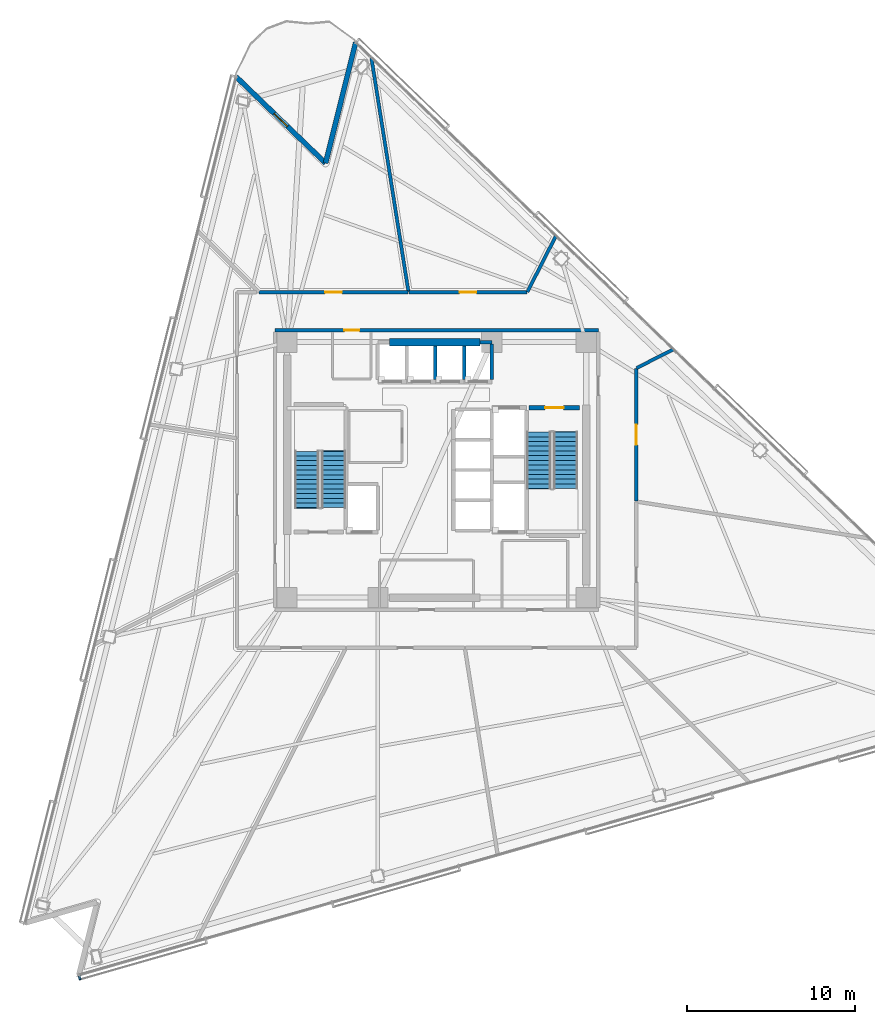
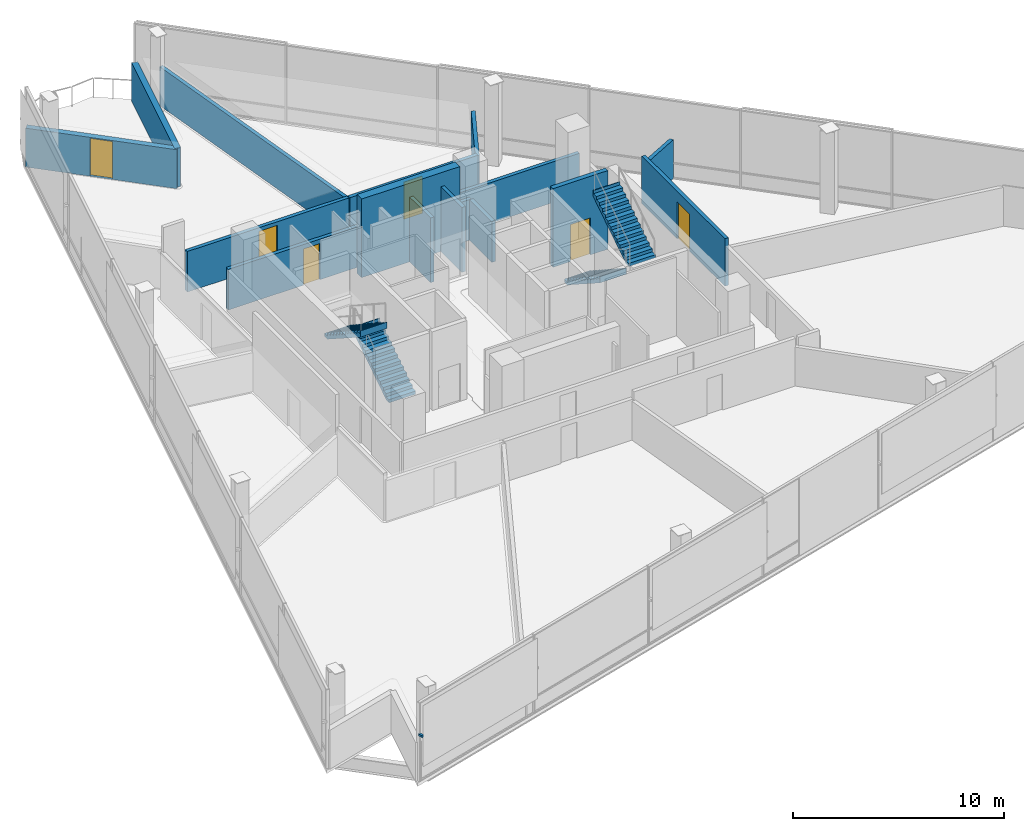
# One storey, part 11 of 18: 15 walls, 6 doors, 4 stair flights, 1 discrete accessory, 6 openings, 2 elements without a shape of their own.
"""IFC4 building model written with IfcOpenShell, lengths in metres."""

from ifc_helpers import new_model, si_unit, direction, frame, frame_2d, origin, origin_2d, place, context, subcontext, project, spatial, polyline, rectangle, outline, extrude, material, layer, layer_set, type_object, element, fill, aggregate, save


model = new_model("IFC4")

# Units and contexts
model_context = context("Model", 3, precision=1e-05, world=origin(), true_north=direction((0.0, 1.0)))
body_context = subcontext(model_context, "Body", "Model", "MODEL_VIEW")
ifc_project = project(units=[si_unit("LENGTHUNIT", "METRE"), si_unit("AREAUNIT", "SQUARE_METRE"), si_unit("VOLUMEUNIT", "CUBIC_METRE"), si_unit("PLANEANGLEUNIT", "RADIAN"), si_unit("MASSUNIT", "GRAM", prefix="KILO")], contexts=[model_context])

# Site, building, storey
site_placement = place(None, origin())
site = spatial("IfcSite", under=ifc_project, at=site_placement, CompositionType="ELEMENT")
building_placement = place(site_placement, origin())
building = spatial("IfcBuilding", under=site, at=building_placement, Name="Tharavind Bronze Gate", CompositionType="ELEMENT")
storey_placement = place(building_placement, frame((0.0, 0.0, 107.699951171875)))
storey = spatial("IfcBuildingStorey", under=building, at=storey_placement, Name="L27", CompositionType="ELEMENT", Elevation=107.699951171875)

# Wall
ifc_material_1 = material(Name="Concrete C40/50", Category="concrete")
ifc_layer_1 = layer(ifc_material_1, 0.300048828125)
ifc_layer_set_1 = layer_set([ifc_layer_1], Name="Concrete C40/50")
wall_type_1 = type_object("IfcWallType", Name="EXTERIOR SPANDREL WALL 300", PredefinedType="STANDARD", material=ifc_layer_set_1)
wall_1_placement = place(storey_placement, frame((-4.8203125, 25.433837890625, 0.0), z_axis=(0.0, 0.0, 1.0), x_axis=(-0.241930078207, -0.970293686086, 0.0)))
element("IfcWall", 1, at=wall_1_placement, inside=storey, type_object=wall_type_1, Name="L27 notch cheek wall 1A", PredefinedType="STANDARD", context=body_context, shape_type="SweptSolid", body=[
    extrude(rectangle(XDim=7.39990234375, YDim=0.300048828125, at=frame_2d((3.699951171875, 0.0))), origin(), (0.0, 0.0, 1.0), 2.255126953125),
])

# Wall, opening, door
wall_2_placement = place(storey_placement, frame((-6.610595703125, 18.253662109375, 0.0), z_axis=(0.0, 0.0, 1.0), x_axis=(-0.719321869339, 0.694676938073, 0.0)))
wall_2 = element("IfcWall", 2, at=wall_2_placement, inside=storey, type_object=wall_type_1, Name="L27 notch cheek wall 1B", PredefinedType="STANDARD", context=body_context, shape_type="SweptSolid", body=[
    extrude(rectangle(XDim=7.39990234375, YDim=0.300048828125, at=frame_2d((3.699951171875, 0.0))), origin(), (0.0, 0.0, 1.0), 2.255126953125),
])
opening_1_placement = place(wall_2_placement, frame((3.14990234375, 0.0, 0.0)))
opening_1 = element("IfcOpeningElement", 3, at=opening_1_placement, cuts=wall_2, Name="Opening ED04", PredefinedType="OPENING", context=body_context, shape_type="SweptSolid", body=[
    extrude(rectangle(XDim=1.10009765625, YDim=2.199951171875, at=frame_2d((0.550048828125, 1.10009765625))), frame((0.0, 0.15990234375, 0.0), z_axis=(0.0, -1.0, 0.0), x_axis=(1.0, 0.0, 0.0)), (0.0, 0.0, 1.0), 0.320048828125),
])
ifc_material_2 = material(Name="Bronze Aluminium & Toughened Glass", Category="aluminium")
door_type_1 = type_object("IfcDoorType", Name="TREE BALCONY ACCESS DOOR 1100X2200", OperationType="SINGLE_SWING_LEFT", PredefinedType="DOOR", material=ifc_material_2)
door_1_placement = place(opening_1_placement, frame((1.10009765625, 0.0, 0.0), z_axis=(0.0, 0.0, 1.0), x_axis=(-1.0, 0.0, 0.0)))
door_1 = element("IfcDoor", 4, at=door_1_placement, inside=storey, type_object=door_type_1, Name="L27 tree balcony access door", OperationType="SINGLE_SWING_LEFT", OverallHeight=2.199951171875, OverallWidth=1.10009765625, PredefinedType="DOOR", context=body_context, shape_type="SweptSolid", body=[
    extrude(rectangle(XDim=1.10009765625, YDim=2.199951171875, at=frame_2d((0.550048828125, 1.10009765625))), frame((0.0, 0.02490234375, 0.0), z_axis=(0.0, -1.0, 0.0), x_axis=(1.0, 0.0, 0.0)), (0.0, 0.0, 1.0), 0.050048828125),
])
fill(opening_1, door_1)

ifc_material_3 = material(Name="Aerated Concrete Block", Category="concrete")
ifc_layer_2 = layer(ifc_material_3, 0.199951171875)
ifc_layer_set_2 = layer_set([ifc_layer_2], Name="Aerated Concrete Block")
wall_type_2 = type_object("IfcWallType", Name="FIRE RATED PARTITION 200", PredefinedType="PARTITIONING", material=ifc_layer_set_2)
wall_3_placement = place(storey_placement, frame((9.6201171875, 8.320068359375, 0.0), z_axis=(0.0, 0.0, 1.0), x_axis=(-1.0, 0.0, 0.0)))
wall_3 = element("IfcWall", 5, at=wall_3_placement, inside=storey, type_object=wall_type_2, Name="L27 north core corridor wall", PredefinedType="PARTITIONING", context=body_context, shape_type="SweptSolid", body=[
    extrude(rectangle(XDim=19.240234375, YDim=0.199951171875, at=frame_2d((9.6201171875, 0.0))), origin(), (0.0, 0.0, 1.0), 2.35498046875),
])
opening_2_placement = place(wall_3_placement, frame((14.219970703125, 0.0, 0.0)))
opening_2 = element("IfcOpeningElement", 6, at=opening_2_placement, cuts=wall_3, Name="Opening ID07", PredefinedType="OPENING", context=body_context, shape_type="SweptSolid", body=[
    extrude(rectangle(XDim=0.89990234375, YDim=2.10009765625, at=frame_2d((0.449951171875, 1.050048828125))), frame((0.0, 0.11009765625, 0.0), z_axis=(0.0, -1.0, 0.0), x_axis=(1.0, 0.0, 0.0)), (0.0, 0.0, 1.0), 0.219951171875),
])
ifc_material_4 = material(Name="Galvanised Fire Steel", Category="steel")
door_type_2 = type_object("IfcDoorType", Name="PLANT AND RISER FIRE DOOR 900X2100", OperationType="SINGLE_SWING_LEFT", PredefinedType="DOOR", material=ifc_material_4)
door_2_placement = place(opening_2_placement, origin())
door_2 = element("IfcDoor", 7, at=door_2_placement, inside=storey, type_object=door_type_2, Name="L27 Electrical Switch Cupboard fire door", OperationType="SINGLE_SWING_LEFT", OverallHeight=2.10009765625, OverallWidth=0.89990234375, PredefinedType="DOOR", context=body_context, shape_type="SweptSolid", body=[
    extrude(rectangle(XDim=0.89990234375, YDim=2.10009765625, at=frame_2d((0.449951171875, 1.050048828125))), frame((0.0, 0.02490234375, 0.0), z_axis=(0.0, -1.0, 0.0), x_axis=(1.0, 0.0, 0.0)), (0.0, 0.0, 1.0), 0.050048828125),
])
fill(opening_2, door_2)

# Wall
wall_4_placement = place(storey_placement, frame((7.08740234375, 13.909912109375, 0.0), z_axis=(0.0, 0.0, 1.0), x_axis=(-0.453996531255, -0.891003450952, 0.0)))
element("IfcWall", 8, at=wall_4_placement, inside=storey, type_object=wall_type_2, Name="L27 Quantitative Desk A partition", PredefinedType="PARTITIONING", context=body_context, shape_type="SweptSolid", body=[
    extrude(rectangle(XDim=3.721923828125, YDim=0.199951171875, at=frame_2d((1.86083984375, 0.0))), origin(), (0.0, 0.0, 1.0), 2.255126953125),
])

# Wall, opening, door
wall_5_placement = place(storey_placement, frame((5.37548828125, 10.580078125, 0.0), z_axis=(0.0, 0.0, 1.0), x_axis=(-1.0, 0.0, 0.0)))
wall_5 = element("IfcWall", 9, at=wall_5_placement, inside=storey, type_object=wall_type_2, Name="L27 Quantitative Desk A partition", PredefinedType="PARTITIONING", context=body_context, shape_type="SweptSolid", body=[
    extrude(rectangle(XDim=7.02978515625, YDim=0.199951171875, at=frame_2d((3.514892578125, 0.0))), origin(), (0.0, 0.0, 1.0), 2.35498046875),
])
opening_3_placement = place(wall_5_placement, frame((3.014892578125, 0.0, 0.0)))
opening_3 = element("IfcOpeningElement", 10, at=opening_3_placement, cuts=wall_5, Name="Opening ID04", PredefinedType="OPENING", context=body_context, shape_type="SweptSolid", body=[
    extrude(rectangle(XDim=1.0, YDim=2.14990234375, at=frame_2d((0.5, 1.074951171875))), frame((0.0, 0.11009765625, 0.0), z_axis=(0.0, -1.0, 0.0), x_axis=(1.0, 0.0, 0.0)), (0.0, 0.0, 1.0), 0.219951171875),
])
ifc_material_5 = material(Name="Bronze Framed Acoustic Timber", Category="wood")
door_type_3 = type_object("IfcDoorType", Name="OFFICE TENANCY DOOR 1000X2150", OperationType="SINGLE_SWING_RIGHT", PredefinedType="DOOR", material=ifc_material_5)
door_3_placement = place(opening_3_placement, origin())
door_3 = element("IfcDoor", 11, at=door_3_placement, inside=storey, type_object=door_type_3, Name="L27 Quantitative Desk A door", OperationType="SINGLE_SWING_RIGHT", OverallHeight=2.14990234375, OverallWidth=1.0, PredefinedType="DOOR", context=body_context, shape_type="SweptSolid", body=[
    extrude(rectangle(XDim=1.0, YDim=2.14990234375, at=frame_2d((0.5, 1.074951171875))), frame((0.0, 0.02490234375, 0.0), z_axis=(0.0, -1.0, 0.0), x_axis=(1.0, 0.0, 0.0)), (0.0, 0.0, 1.0), 0.050048828125),
])
fill(opening_3, door_3)

# Wall
wall_6_placement = place(storey_placement, frame((-1.678955078125, 10.60107421875, 0.0), z_axis=(0.0, 0.0, 1.0), x_axis=(-0.156435461173, 0.987688182823, 0.0)))
element("IfcWall", 12, at=wall_6_placement, inside=storey, type_object=wall_type_2, Name="L27 Quantitative Desk A partition", PredefinedType="PARTITIONING", context=body_context, shape_type="SweptSolid", body=[
    extrude(rectangle(XDim=14.103515625, YDim=0.199951171875, at=frame_2d((7.0517578125, 0.0))), origin(), (0.0, 0.0, 1.0), 2.255126953125),
])

# Wall, opening, door
wall_7_placement = place(storey_placement, frame((-1.705078125, 10.580078125, 0.0), z_axis=(0.0, 0.0, 1.0), x_axis=(-1.0, 0.0, 0.0)))
wall_7 = element("IfcWall", 13, at=wall_7_placement, inside=storey, type_object=wall_type_2, Name="L27 Quantitative Desk B partition", PredefinedType="PARTITIONING", context=body_context, shape_type="SweptSolid", body=[
    extrude(rectangle(XDim=8.864501953125, YDim=0.199951171875, at=frame_2d((4.43212890625, 0.0))), origin(), (0.0, 0.0, 1.0), 2.35498046875),
])
opening_4_placement = place(wall_7_placement, frame((3.931884765625, 0.0, 0.0)))
opening_4 = element("IfcOpeningElement", 14, at=opening_4_placement, cuts=wall_7, Name="Opening ID04", PredefinedType="OPENING", context=body_context, shape_type="SweptSolid", body=[
    extrude(rectangle(XDim=1.0, YDim=2.14990234375, at=frame_2d((0.5, 1.074951171875))), frame((0.0, 0.11009765625, 0.0), z_axis=(0.0, -1.0, 0.0), x_axis=(1.0, 0.0, 0.0)), (0.0, 0.0, 1.0), 0.219951171875),
])
door_4_placement = place(opening_4_placement, origin())
door_4 = element("IfcDoor", 15, at=door_4_placement, inside=storey, type_object=door_type_3, Name="L27 Quantitative Desk B door", OperationType="SINGLE_SWING_RIGHT", OverallHeight=2.14990234375, OverallWidth=1.0, PredefinedType="DOOR", context=body_context, shape_type="SweptSolid", body=[
    extrude(rectangle(XDim=1.0, YDim=2.14990234375, at=frame_2d((0.5, 1.074951171875))), frame((0.0, 0.02490234375, 0.0), z_axis=(0.0, -1.0, 0.0), x_axis=(1.0, 0.0, 0.0)), (0.0, 0.0, 1.0), 0.050048828125),
])
fill(opening_4, door_4)

wall_8_placement = place(storey_placement, frame((11.8798828125, -1.8603515625, 0.0), z_axis=(0.0, 0.0, 1.0), x_axis=(0.0, 1.0, 0.0)))
wall_8 = element("IfcWall", 16, at=wall_8_placement, inside=storey, type_object=wall_type_2, Name="L27 Library Lounge partition", PredefinedType="PARTITIONING", context=body_context, shape_type="SweptSolid", body=[
    extrude(rectangle(XDim=7.898193359375, YDim=0.199951171875, at=frame_2d((3.94921875, 0.0))), origin(), (0.0, 0.0, 1.0), 2.755126953125),
])
opening_5_placement = place(wall_8_placement, frame((3.34912109375, 0.0, 0.0)))
opening_5 = element("IfcOpeningElement", 17, at=opening_5_placement, cuts=wall_8, Name="Opening ID05", PredefinedType="OPENING", context=body_context, shape_type="SweptSolid", body=[
    extrude(rectangle(XDim=1.199951171875, YDim=2.14990234375, at=frame_2d((0.60009765625, 1.074951171875))), frame((0.0, 0.11009765625, 0.0), z_axis=(0.0, -1.0, 0.0), x_axis=(1.0, 0.0, 0.0)), (0.0, 0.0, 1.0), 0.219951171875),
])
ifc_material_6 = material(Name="Acoustic Laminated Glass", Category="glass")
door_type_4 = type_object("IfcDoorType", Name="MEETING ROOM GLAZED DOOR 1200X2150", OperationType="SINGLE_SWING_LEFT", PredefinedType="DOOR", material=ifc_material_6)
door_5_placement = place(opening_5_placement, origin())
door_5 = element("IfcDoor", 18, at=door_5_placement, inside=storey, type_object=door_type_4, Name="L27 Library Lounge door", OperationType="SINGLE_SWING_LEFT", OverallHeight=2.14990234375, OverallWidth=1.199951171875, PredefinedType="DOOR", context=body_context, shape_type="SweptSolid", body=[
    extrude(rectangle(XDim=1.199951171875, YDim=2.14990234375, at=frame_2d((0.60009765625, 1.074951171875))), frame((0.0, 0.02490234375, 0.0), z_axis=(0.0, -1.0, 0.0), x_axis=(1.0, 0.0, 0.0)), (0.0, 0.0, 1.0), 0.050048828125),
])
fill(opening_5, door_5)

# Wall
wall_9_placement = place(storey_placement, frame((11.893798828125, 6.06005859375, 0.0), z_axis=(0.0, 0.0, 1.0), x_axis=(0.891002108133, 0.453999166633, 0.0)))
element("IfcWall", 19, at=wall_9_placement, inside=storey, type_object=wall_type_2, Name="L27 Library Lounge partition", PredefinedType="PARTITIONING", context=body_context, shape_type="SweptSolid", body=[
    extrude(rectangle(XDim=2.44189453125, YDim=0.199951171875, at=frame_2d((1.220947265625, 0.0))), origin(), (0.0, 0.0, 1.0), 2.255126953125),
])

# Wall, opening, door
ifc_material_7 = material(Name="Concrete C50/60", Category="concrete")
ifc_layer_3 = layer(ifc_material_7, 0.25)
ifc_layer_set_3 = layer_set([ifc_layer_3], Name="Concrete C50/60")
wall_type_3 = type_object("IfcWallType", Name="RC CORE SHEAR WALL 250", PredefinedType="SHEAR", material=ifc_layer_set_3)
wall_10_placement = place(storey_placement, frame((5.5, 3.699951171875, 0.0), z_axis=(0.0, 0.0, 1.0), x_axis=(1.0, 0.0, 0.0)))
wall_10 = element("IfcWall", 20, at=wall_10_placement, inside=storey, type_object=wall_type_3, Name="L27 ST2 shaft north wall", PredefinedType="SHEAR", context=body_context, shape_type="SweptSolid", body=[
    extrude(rectangle(XDim=3.0, YDim=0.25, at=frame_2d((1.5, 0.0))), origin(), (0.0, 0.0, 1.0), 4.56005859375),
])
opening_6_placement = place(wall_10_placement, frame((0.949951171875, 0.0, 0.0)))
opening_6 = element("IfcOpeningElement", 21, at=opening_6_placement, cuts=wall_10, Name="Opening ID01", PredefinedType="OPENING", context=body_context, shape_type="SweptSolid", body=[
    extrude(rectangle(XDim=1.10009765625, YDim=2.14990234375, at=frame_2d((0.550048828125, 1.074951171875))), frame((0.0, 0.135, 0.0), z_axis=(0.0, -1.0, 0.0), x_axis=(1.0, 0.0, 0.0)), (0.0, 0.0, 1.0), 0.27),
])
ifc_material_8 = material(Name="Fire-Rated Steel", Category="steel")
door_type_5 = type_object("IfcDoorType", Name="STAIR CORE FIRE DOOR 1100X2150", OperationType="SINGLE_SWING_LEFT", PredefinedType="DOOR", material=ifc_material_8)
door_6_placement = place(opening_6_placement, frame((1.10009765625, 0.0, 0.0), z_axis=(0.0, 0.0, 1.0), x_axis=(-1.0, 0.0, 0.0)))
door_6 = element("IfcDoor", 22, at=door_6_placement, inside=storey, type_object=door_type_5, Name="L27 exit stair ST2 fire door", OperationType="SINGLE_SWING_LEFT", OverallHeight=2.14990234375, OverallWidth=1.10009765625, PredefinedType="DOOR", context=body_context, shape_type="SweptSolid", body=[
    extrude(rectangle(XDim=1.10009765625, YDim=2.14990234375, at=frame_2d((0.550048828125, 1.074951171875))), frame((0.0, 0.02490234375, 0.0), z_axis=(0.0, -1.0, 0.0), x_axis=(1.0, 0.0, 0.0)), (0.0, 0.0, 1.0), 0.050048828125),
])
fill(opening_6, door_6)

# Walls
ifc_material_9 = material(Name="Concrete C60/75", Category="concrete")
ifc_layer_4 = layer(ifc_material_9, 0.449951171875)
ifc_layer_set_4 = layer_set([ifc_layer_4], Name="Concrete C60/75")
wall_type_4 = type_object("IfcWallType", Name="RC CORE SHEAR WALL 450", PredefinedType="SHEAR", material=ifc_layer_set_4)
wall_11_placement = place(storey_placement, frame((-2.800048828125, 7.60009765625, 0.0), z_axis=(0.0, 0.0, 1.0), x_axis=(1.0, 0.0, 0.0)))
element("IfcWall", 23, at=wall_11_placement, inside=storey, type_object=wall_type_4, Name="L27 north core shear wall", PredefinedType="SHEAR", context=body_context, shape_type="SweptSolid", body=[
    extrude(rectangle(XDim=5.380126953125, YDim=0.449951171875, at=frame_2d((2.68994140625, 0.0))), origin(), (0.0, 0.0, 1.0), 4.56005859375),
])
ifc_layer_5 = layer(ifc_material_1, 0.199951171875)
ifc_layer_set_5 = layer_set([ifc_layer_5], Name="Concrete C40/50")
wall_type_5 = type_object("IfcWallType", Name="SHAFT ENCLOSURE WALL 200", PredefinedType="PARTITIONING", material=ifc_layer_set_5)
for number, where, z_axis, x_axis, name in (
    (24, (-0.074951171875, 5.3798828125, 0.0), (0.0, 0.0, 1.0), (0.0, 1.0, 0.0), "L27 lift PL6 shaft E enclosure wall"),
    (25, (1.637451171875, 5.3798828125, 0.0), (0.0, 0.0, 1.0), (0.0, 1.0, 0.0), "L27 lift PL7 shaft E enclosure wall"),
):
    element("IfcWall", number, at=place(storey_placement, frame(where, z_axis=z_axis, x_axis=x_axis)), inside=storey, type_object=wall_type_5, Name=name, PredefinedType="PARTITIONING", context=body_context, shape_type="SweptSolid", body=[
        extrude(rectangle(XDim=1.990234375, YDim=0.199951171875, at=frame_2d((0.9951171875, 0.0))), origin(), (0.0, 0.0, 1.0), 3.755126953125),
    ])
wall_12_placement = place(storey_placement, frame((2.580078125, 7.60009765625, 0.0), z_axis=(0.0, 0.0, 1.0), x_axis=(1.0, 0.0, 0.0)))
element("IfcWall", 26, at=wall_12_placement, inside=storey, type_object=wall_type_5, Name="L27 lift PL8 shaft N enclosure wall", PredefinedType="PARTITIONING", context=body_context, shape_type="SweptSolid", body=[
    extrude(rectangle(XDim=0.699951171875, YDim=0.199951171875, at=frame_2d((0.35009765625, 0.0))), origin(), (0.0, 0.0, 1.0), 2.35498046875),
])
wall_13_placement = place(storey_placement, frame((3.280029296875, 5.3798828125, 0.0), z_axis=(0.0, 0.0, 1.0), x_axis=(0.0, 1.0, 0.0)))
element("IfcWall", 27, at=wall_13_placement, inside=storey, type_object=wall_type_5, Name="L27 lift PL8 shaft E enclosure wall", PredefinedType="PARTITIONING", context=body_context, shape_type="SweptSolid", body=[
    extrude(rectangle(XDim=2.115234375, YDim=0.199951171875, at=frame_2d((1.0576171875, 0.0))), origin(), (0.0, 0.0, 1.0), 2.35498046875),
])

# Stair, stair flights
stair_type = type_object("IfcStairType", Name="CORE HALF TURN STAIR 1450", PredefinedType="HALF_TURN_STAIR", material=ifc_material_1)
stair_1_placement = place(storey_placement, origin())
stair_1 = element("IfcStair", 28, at=stair_1_placement, inside=storey, type_object=stair_type, Name="L27 Protected Exit Stair ST1", PredefinedType="HALF_TURN_STAIR")
stair_flight_type = type_object("IfcStairFlightType", Name="CORE STAIR FLIGHT 1450", PredefinedType="STRAIGHT", material=ifc_material_1)
stair_flight_1_placement = place(storey_placement, frame((-6.125, -2.25, 0.0), z_axis=(0.0, 0.0, 1.0), x_axis=(0.0, 1.0, 0.0)))
stair_flight_1 = element("IfcStairFlight", 29, at=stair_flight_1_placement, type_object=stair_flight_type, Name="ST1 flight 1", NumberOfRisers=13, NumberOfTreads=12, PredefinedType="STRAIGHT", RiserHeight=0.182692308, TreadLength=0.28, context=body_context, shape_type="SweptSolid", body=[
    extrude(outline(polyline([(0.0, 0.0), (0.0, 0.1826171875), (0.280029296875, 0.1826171875), (0.280029296875, 0.365478515625), (0.56005859375, 0.365478515625), (0.56005859375, 0.548095703125), (0.840087890625, 0.548095703125), (0.840087890625, 0.730712890625), (1.1201171875, 0.730712890625), (1.1201171875, 0.91357421875), (1.39990234375, 0.91357421875), (1.39990234375, 1.09619140625), (1.679931640625, 1.09619140625), (1.679931640625, 1.27880859375), (1.9599609375, 1.27880859375), (1.9599609375, 1.46142578125), (2.239990234375, 1.46142578125), (2.239990234375, 1.644287109375), (2.52001953125, 1.644287109375), (2.52001953125, 1.826904296875), (2.800048828125, 1.826904296875), (2.800048828125, 2.009521484375), (3.080078125, 2.009521484375), (3.080078125, 2.1923828125), (3.360107421875, 2.1923828125), (3.360107421875, 2.375), (3.39599609375, 2.375), (3.39599609375, 2.013427734375), (0.2744140625, 0.0), (0.0, 0.0)])), frame((0.0, 0.72509765625, 0.0), z_axis=(0.0, -1.0, 0.0), x_axis=(1.0, 0.0, 0.0)), (0.0, 0.0, 1.0), 1.449951171875),
])
stair_flight_2_placement = place(storey_placement, frame((-7.72509765625, 1.110107421875, 2.375), z_axis=(0.0, 0.0, 1.0), x_axis=(0.0, -1.0, 0.0)))
stair_flight_2 = element("IfcStairFlight", 30, at=stair_flight_2_placement, type_object=stair_flight_type, Name="ST1 flight 2", NumberOfRisers=13, NumberOfTreads=12, PredefinedType="STRAIGHT", RiserHeight=0.182692308, TreadLength=0.28, context=body_context, shape_type="SweptSolid", body=[
    extrude(outline(polyline([(0.0, 0.0), (0.0, 0.1826171875), (0.280029296875, 0.1826171875), (0.280029296875, 0.365478515625), (0.56005859375, 0.365478515625), (0.56005859375, 0.548095703125), (0.840087890625, 0.548095703125), (0.840087890625, 0.730712890625), (1.1201171875, 0.730712890625), (1.1201171875, 0.91357421875), (1.39990234375, 0.91357421875), (1.39990234375, 1.09619140625), (1.679931640625, 1.09619140625), (1.679931640625, 1.27880859375), (1.9599609375, 1.27880859375), (1.9599609375, 1.46142578125), (2.239990234375, 1.46142578125), (2.239990234375, 1.644287109375), (2.52001953125, 1.644287109375), (2.52001953125, 1.826904296875), (2.800048828125, 1.826904296875), (2.800048828125, 2.009521484375), (3.080078125, 2.009521484375), (3.080078125, 2.1923828125), (3.360107421875, 2.1923828125), (3.360107421875, 2.375), (3.39599609375, 2.375), (3.39599609375, 2.013427734375), (0.2744140625, 0.0), (0.0, 0.0)])), frame((0.0, 0.72509765625, 0.0), z_axis=(0.0, -1.0, 0.0), x_axis=(1.0, 0.0, 0.0)), (0.0, 0.0, 1.0), 1.449951171875),
])
aggregate(stair_1, [stair_flight_1, stair_flight_2])

stair_2_placement = place(storey_placement, origin())
stair_2 = element("IfcStair", 31, at=stair_2_placement, inside=storey, type_object=stair_type, Name="L27 Protected Exit Stair ST2", PredefinedType="HALF_TURN_STAIR")
stair_flight_3_placement = place(storey_placement, frame((6.074951171875, 2.25, 0.0), z_axis=(0.0, 0.0, 1.0), x_axis=(0.0, -1.0, 0.0)))
stair_flight_3 = element("IfcStairFlight", 32, at=stair_flight_3_placement, type_object=stair_flight_type, Name="ST2 flight 1", NumberOfRisers=13, NumberOfTreads=12, PredefinedType="STRAIGHT", RiserHeight=0.182692308, TreadLength=0.28, context=body_context, shape_type="SweptSolid", body=[
    extrude(outline(polyline([(0.0, 0.0), (0.0, 0.1826171875), (0.280029296875, 0.1826171875), (0.280029296875, 0.365478515625), (0.56005859375, 0.365478515625), (0.56005859375, 0.548095703125), (0.840087890625, 0.548095703125), (0.840087890625, 0.730712890625), (1.1201171875, 0.730712890625), (1.1201171875, 0.91357421875), (1.39990234375, 0.91357421875), (1.39990234375, 1.09619140625), (1.679931640625, 1.09619140625), (1.679931640625, 1.27880859375), (1.9599609375, 1.27880859375), (1.9599609375, 1.46142578125), (2.239990234375, 1.46142578125), (2.239990234375, 1.644287109375), (2.52001953125, 1.644287109375), (2.52001953125, 1.826904296875), (2.800048828125, 1.826904296875), (2.800048828125, 2.009521484375), (3.080078125, 2.009521484375), (3.080078125, 2.1923828125), (3.360107421875, 2.1923828125), (3.360107421875, 2.375), (3.39599609375, 2.375), (3.39599609375, 2.013427734375), (0.2744140625, 0.0), (0.0, 0.0)])), frame((0.0, 0.72509765625, 0.0), z_axis=(0.0, -1.0, 0.0), x_axis=(1.0, 0.0, 0.0)), (0.0, 0.0, 1.0), 1.449951171875),
])
stair_flight_4_placement = place(storey_placement, frame((7.675048828125, -1.110107421875, 2.375), z_axis=(0.0, 0.0, 1.0), x_axis=(0.0, 1.0, 0.0)))
stair_flight_4 = element("IfcStairFlight", 33, at=stair_flight_4_placement, type_object=stair_flight_type, Name="ST2 flight 2", NumberOfRisers=13, NumberOfTreads=12, PredefinedType="STRAIGHT", RiserHeight=0.182692308, TreadLength=0.28, context=body_context, shape_type="SweptSolid", body=[
    extrude(outline(polyline([(0.0, 0.0), (0.0, 0.1826171875), (0.280029296875, 0.1826171875), (0.280029296875, 0.365478515625), (0.56005859375, 0.365478515625), (0.56005859375, 0.548095703125), (0.840087890625, 0.548095703125), (0.840087890625, 0.730712890625), (1.1201171875, 0.730712890625), (1.1201171875, 0.91357421875), (1.39990234375, 0.91357421875), (1.39990234375, 1.09619140625), (1.679931640625, 1.09619140625), (1.679931640625, 1.27880859375), (1.9599609375, 1.27880859375), (1.9599609375, 1.46142578125), (2.239990234375, 1.46142578125), (2.239990234375, 1.644287109375), (2.52001953125, 1.644287109375), (2.52001953125, 1.826904296875), (2.800048828125, 1.826904296875), (2.800048828125, 2.009521484375), (3.080078125, 2.009521484375), (3.080078125, 2.1923828125), (3.360107421875, 2.1923828125), (3.360107421875, 2.375), (3.39599609375, 2.375), (3.39599609375, 2.013427734375), (0.2744140625, 0.0), (0.0, 0.0)])), frame((0.0, 0.72509765625, 0.0), z_axis=(0.0, -1.0, 0.0), x_axis=(1.0, 0.0, 0.0)), (0.0, 0.0, 1.0), 1.449951171875),
])
aggregate(stair_2, [stair_flight_3, stair_flight_4])

# Discrete accessory
ifc_material_10 = material(Name="Stainless Steel 316", Category="steel")
discrete_accessory_type = type_object("IfcDiscreteAccessoryType", Name="SOLAR SCREEN STANDOFF BRACKET", PredefinedType="BRACKET", material=ifc_material_10)
discrete_accessory_placement = place(storey_placement, frame((-21.245849609375, -30.220703125, 2.669921875), z_axis=(0.0, 0.0, 1.0), x_axis=(0.961261695938, 0.275637355817, 0.0)))
element("IfcDiscreteAccessory", 34, at=discrete_accessory_placement, inside=storey, type_object=discrete_accessory_type, Name="CW-L27-S2 solar screen bracket 1.1", PredefinedType="BRACKET", context=body_context, shape_type="SweptSolid", body=[
    extrude(rectangle(XDim=0.1201171875, YDim=0.239990234375, at=origin_2d()), origin(), (0.0, 0.0, 1.0), 0.1201171875),
])

save(model, "model.ifc")
